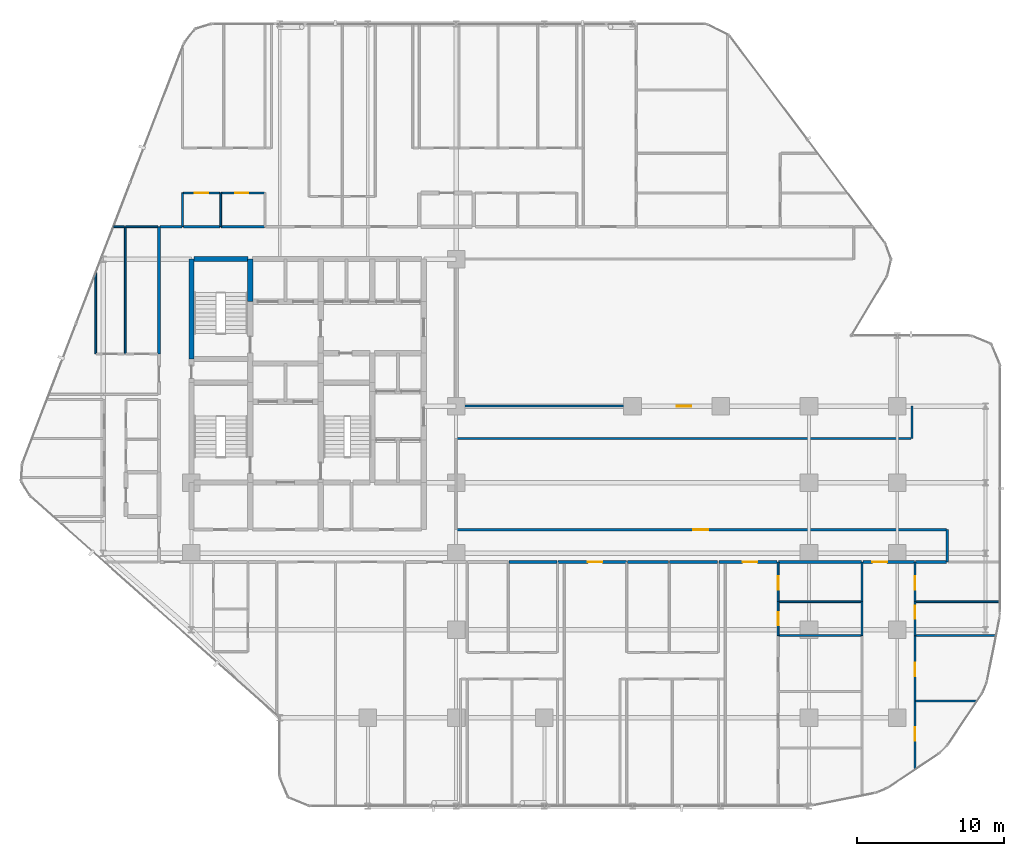
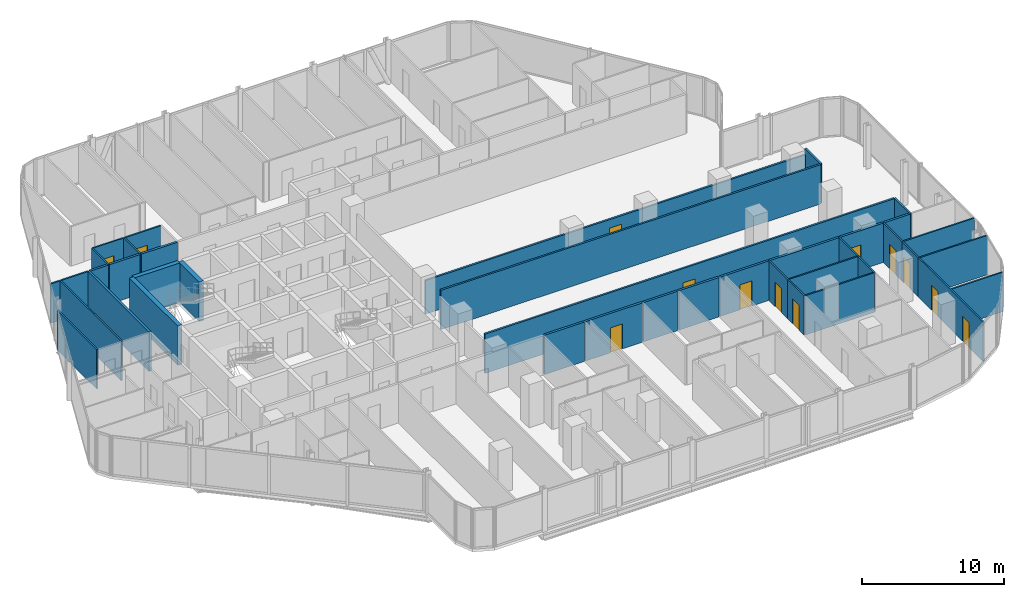
# One storey, part 29 of 34: 40 walls, 13 doors, 13 openings.
"""IFC4 building model written with IfcOpenShell, lengths in metres."""

from ifc_helpers import new_model, si_unit, direction, frame, frame_2d, origin, place, context, subcontext, project, spatial, rectangle, extrude, material, layer, layer_set, type_object, element, fill, save


model = new_model("IFC4")

# Units and contexts
model_context = context("Model", 3, precision=1e-05, world=origin(), true_north=direction((0.0, 1.0)))
body_context = subcontext(model_context, "Body", "Model", "MODEL_VIEW")
ifc_project = project(units=[si_unit("LENGTHUNIT", "METRE"), si_unit("AREAUNIT", "SQUARE_METRE"), si_unit("VOLUMEUNIT", "CUBIC_METRE"), si_unit("PLANEANGLEUNIT", "RADIAN"), si_unit("MASSUNIT", "GRAM", prefix="KILO")], contexts=[model_context])

# Site, building, storey
site_placement = place(None, origin())
site = spatial("IfcSite", under=ifc_project, at=site_placement, CompositionType="ELEMENT")
building_placement = place(site_placement, origin())
building = spatial("IfcBuilding", under=site, at=building_placement, Name="Keshet Zoharim Tower", CompositionType="ELEMENT")
storey_placement = place(building_placement, frame((0.0, 0.0, 70.10009765625)))
storey = spatial("IfcBuildingStorey", under=building, at=storey_placement, Name="L16", CompositionType="ELEMENT", Elevation=70.10009765625)

# Walls
ifc_material_1 = material(Name="Gypsum Plasterboard", Category="gypsum")
ifc_layer_1 = layer(ifc_material_1, 0.14990234375)
ifc_layer_set_1 = layer_set([ifc_layer_1], Name="Gypsum Plasterboard")
wall_type_1 = type_object("IfcWallType", Name="WL-CLIN-150", PredefinedType="STANDARD", material=ifc_layer_set_1)
wall_1_placement = place(storey_placement, frame((64.0, 25.699951171875, 0.0), z_axis=(0.0, 0.0, 1.0), x_axis=(0.0, 1.0, 0.0)))
element("IfcWall", 1, at=wall_1_placement, inside=storey, type_object=wall_type_1, Name="L16 Interior Wall 109", PredefinedType="STANDARD", context=body_context, shape_type="SweptSolid", body=[
    extrude(rectangle(XDim=2.199951171875, YDim=0.14990234375, at=frame_2d((1.10009765625, 0.0))), origin(), (0.0, 0.0, 1.0), 3.385009765625),
])
wall_2_placement = place(storey_placement, frame((66.39990234375, 17.31005859375, 0.0), z_axis=(0.0, 0.0, 1.0), x_axis=(0.0, 1.0, 0.0)))
element("IfcWall", 2, at=wall_2_placement, inside=storey, type_object=wall_type_1, Name="L16 Interior Wall 113", PredefinedType="STANDARD", context=body_context, shape_type="SweptSolid", body=[
    extrude(rectangle(XDim=2.18994140625, YDim=0.14990234375, at=frame_2d((1.094970703125, 0.0))), origin(), (0.0, 0.0, 1.0), 3.385009765625),
])

# Wall, opening, door
wall_3_placement = place(storey_placement, frame((33.070068359375, 19.5, 0.0), z_axis=(0.0, 0.0, 1.0), x_axis=(1.0, 0.0, 0.0)))
wall_3 = element("IfcWall", 3, at=wall_3_placement, inside=storey, type_object=wall_type_1, Name="L16 Interior Wall 154", PredefinedType="STANDARD", context=body_context, shape_type="SweptSolid", body=[
    extrude(rectangle(XDim=33.27001953125, YDim=0.14990234375, at=frame_2d((16.635009765625, 0.0))), origin(), (0.0, 0.0, 1.0), 3.385009765625),
])
opening_1_placement = place(wall_3_placement, frame((16.06494140625, 0.0, 0.0)))
opening_1 = element("IfcOpeningElement", 4, at=opening_1_placement, cuts=wall_3, Name="Opening D-F310", PredefinedType="OPENING", context=body_context, shape_type="SweptSolid", body=[
    extrude(rectangle(XDim=1.0, YDim=2.14990234375, at=frame_2d((0.5, 1.074951171875))), frame((0.0, 0.0849609375, 0.0), z_axis=(0.0, -1.0, 0.0), x_axis=(1.0, 0.0, 0.0)), (0.0, 0.0, 1.0), 0.169921875),
])
ifc_material_2 = material(Name="Hardwood Timber", Category="wood")
door_type_1 = type_object("IfcDoorType", Name="DR-FD30-100", OperationType="NOTDEFINED", PredefinedType="DOOR", material=ifc_material_2)
door_1_placement = place(opening_1_placement, origin())
door_1 = element("IfcDoor", 5, at=door_1_placement, inside=storey, type_object=door_type_1, Name="L16 North East Residents Services Suite Door 1", OperationType="SINGLE_SWING_RIGHT", OverallHeight=2.14990234375, OverallWidth=1.0, PredefinedType="DOOR", context=body_context, shape_type="SweptSolid", body=[
    extrude(rectangle(XDim=1.0, YDim=2.14990234375, at=frame_2d((0.5, 1.074951171875))), frame((0.0, 0.02490234375, 0.0), z_axis=(0.0, -1.0, 0.0), x_axis=(1.0, 0.0, 0.0)), (0.0, 0.0, 1.0), 0.050048828125),
])
fill(opening_1, door_1)

# Wall
wall_4_placement = place(storey_placement, frame((33.070068359375, 25.699951171875, 0.0), z_axis=(0.0, 0.0, 1.0), x_axis=(1.0, 0.0, 0.0)))
element("IfcWall", 6, at=wall_4_placement, inside=storey, type_object=wall_type_1, Name="L16 Interior Wall 168", PredefinedType="STANDARD", context=body_context, shape_type="SweptSolid", body=[
    extrude(rectangle(XDim=30.869873046875, YDim=0.14990234375, at=frame_2d((15.43505859375, 0.0))), origin(), (0.0, 0.0, 1.0), 3.385009765625),
])

# Wall, opening, door
wall_5_placement = place(storey_placement, frame((33.070068359375, 27.89990234375, 0.0), z_axis=(0.0, 0.0, 1.0), x_axis=(1.0, 0.0, 0.0)))
wall_5 = element("IfcWall", 7, at=wall_5_placement, inside=storey, type_object=wall_type_1, Name="L16 Interior Wall 169", PredefinedType="STANDARD", context=body_context, shape_type="SweptSolid", body=[
    extrude(rectangle(XDim=30.869873046875, YDim=0.14990234375, at=frame_2d((15.43505859375, 0.0))), origin(), (0.0, 0.0, 1.0), 2.885009765625),
])
opening_2_placement = place(wall_5_placement, frame((14.93505859375, 0.0, 0.0)))
opening_2 = element("IfcOpeningElement", 8, at=opening_2_placement, cuts=wall_5, Name="Opening D-F310", PredefinedType="OPENING", context=body_context, shape_type="SweptSolid", body=[
    extrude(rectangle(XDim=1.0, YDim=2.14990234375, at=frame_2d((0.5, 1.074951171875))), frame((0.0, 0.0849609375, 0.0), z_axis=(0.0, -1.0, 0.0), x_axis=(1.0, 0.0, 0.0)), (0.0, 0.0, 1.0), 0.169921875),
])
door_2_placement = place(opening_2_placement, origin())
door_2 = element("IfcDoor", 9, at=door_2_placement, inside=storey, type_object=door_type_1, Name="L16 North East Residents Services Suite Door 2", OperationType="SINGLE_SWING_RIGHT", OverallHeight=2.14990234375, OverallWidth=1.0, PredefinedType="DOOR", context=body_context, shape_type="SweptSolid", body=[
    extrude(rectangle(XDim=1.0, YDim=2.14990234375, at=frame_2d((0.5, 1.074951171875))), frame((0.0, 0.02490234375, 0.0), z_axis=(0.0, -1.0, 0.0), x_axis=(1.0, 0.0, 0.0)), (0.0, 0.0, 1.0), 0.050048828125),
])
fill(opening_2, door_2)

# Walls
ifc_material_3 = material(Name="Concrete C60/75", Category="concrete")
ifc_layer_2 = layer(ifc_material_3, 0.35009765625)
ifc_layer_set_2 = layer_set([ifc_layer_2], Name="Concrete C60/75")
wall_type_2 = type_object("IfcWallType", Name="WL-CORE-350", PredefinedType="SHEAR", material=ifc_layer_set_2)
wall_6_placement = place(storey_placement, frame((15.0, 31.10009765625, 0.0), z_axis=(0.0, 0.0, 1.0), x_axis=(0.0, 1.0, 0.0)))
element("IfcWall", 10, at=wall_6_placement, inside=storey, type_object=wall_type_2, Name="L16 Core Shear Wall 018", PredefinedType="SHEAR", context=body_context, shape_type="SweptSolid", body=[
    extrude(rectangle(XDim=6.7998046875, YDim=0.35009765625, at=frame_2d((3.39990234375, 0.0))), origin(), (0.0, 0.0, 1.0), 3.385009765625),
])
wall_7_placement = place(storey_placement, frame((19.0, 35.0, 0.0), z_axis=(0.0, 0.0, 1.0), x_axis=(0.0, 1.0, 0.0)))
element("IfcWall", 11, at=wall_7_placement, inside=storey, type_object=wall_type_2, Name="L16 Core Shear Wall 029", PredefinedType="SHEAR", context=body_context, shape_type="SweptSolid", body=[
    extrude(rectangle(XDim=2.89990234375, YDim=0.35009765625, at=frame_2d((1.449951171875, 0.0))), origin(), (0.0, 0.0, 1.0), 3.385009765625),
])
wall_8_placement = place(storey_placement, frame((15.159912109375, 37.89990234375, 0.0), z_axis=(0.0, 0.0, 1.0), x_axis=(1.0, 0.0, 0.0)))
element("IfcWall", 12, at=wall_8_placement, inside=storey, type_object=wall_type_2, Name="L16 Core Shear Wall 185", PredefinedType="SHEAR", context=body_context, shape_type="SweptSolid", body=[
    extrude(rectangle(XDim=3.68017578125, YDim=0.35009765625, at=frame_2d((1.840087890625, 0.0))), origin(), (0.0, 0.0, 1.0), 3.385009765625),
])
ifc_layer_3 = layer(ifc_material_1, 0.179931640625)
ifc_layer_set_3 = layer_set([ifc_layer_3], Name="Gypsum Plasterboard")
wall_type_3 = type_object("IfcWallType", Name="WL-CORR-180", PredefinedType="STANDARD", material=ifc_layer_set_3)
wall_9_placement = place(storey_placement, frame((12.800048828125, 31.449951171875, 0.0), z_axis=(0.0, 0.0, 1.0), x_axis=(0.0, 1.0, 0.0)))
element("IfcWall", 13, at=wall_9_placement, inside=storey, type_object=wall_type_3, Name="L16 Interior Wall 012", PredefinedType="STANDARD", context=body_context, shape_type="SweptSolid", body=[
    extrude(rectangle(XDim=8.650146484375, YDim=0.179931640625, at=frame_2d((4.3251953125, 0.0))), origin(), (0.0, 0.0, 1.0), 3.385009765625),
])
wall_10_placement = place(storey_placement, frame((36.614013671875, 17.300048828125, 0.0), z_axis=(0.0, 0.0, 1.0), x_axis=(1.0, 0.0, 0.0)))
element("IfcWall", 14, at=wall_10_placement, inside=storey, type_object=wall_type_3, Name="L16 Interior Wall 141", PredefinedType="STANDARD", context=body_context, shape_type="SweptSolid", body=[
    extrude(rectangle(XDim=3.23095703125, YDim=0.179931640625, at=frame_2d((1.615478515625, 0.0))), origin(), (0.0, 0.0, 1.0), 3.385009765625),
])

# Wall, opening, door
wall_11_placement = place(storey_placement, frame((39.93505859375, 17.300048828125, 0.0), z_axis=(0.0, 0.0, 1.0), x_axis=(1.0, 0.0, 0.0)))
wall_11 = element("IfcWall", 15, at=wall_11_placement, inside=storey, type_object=wall_type_3, Name="L16 Interior Wall 142", PredefinedType="STANDARD", context=body_context, shape_type="SweptSolid", body=[
    extrude(rectangle(XDim=4.639892578125, YDim=0.179931640625, at=frame_2d((2.31982421875, 0.0))), origin(), (0.0, 0.0, 1.0), 3.385009765625),
])
opening_3_placement = place(wall_11_placement, frame((2.02001953125, 0.0, 0.0)))
opening_3 = element("IfcOpeningElement", 16, at=opening_3_placement, cuts=wall_11, Name="Opening D-F310", PredefinedType="OPENING", context=body_context, shape_type="SweptSolid", body=[
    extrude(rectangle(XDim=1.0, YDim=2.14990234375, at=frame_2d((0.5, 1.074951171875))), frame((0.0, 0.10009765625, 0.0), z_axis=(0.0, -1.0, 0.0), x_axis=(1.0, 0.0, 0.0)), (0.0, 0.0, 1.0), 0.199951171875),
])
door_3_placement = place(opening_3_placement, origin())
door_3 = element("IfcDoor", 17, at=door_3_placement, inside=storey, type_object=door_type_1, Name="Apartment 1603 Entrance Door", OperationType="SINGLE_SWING_LEFT", OverallHeight=2.14990234375, OverallWidth=1.0, PredefinedType="DOOR", context=body_context, shape_type="SweptSolid", body=[
    extrude(rectangle(XDim=1.0, YDim=2.14990234375, at=frame_2d((0.5, 1.074951171875))), frame((0.0, 0.02490234375, 0.0), z_axis=(0.0, -1.0, 0.0), x_axis=(1.0, 0.0, 0.0)), (0.0, 0.0, 1.0), 0.050048828125),
])
fill(opening_3, door_3)

# Walls
wall_12_placement = place(storey_placement, frame((44.6650390625, 17.300048828125, 0.0), z_axis=(0.0, 0.0, 1.0), x_axis=(1.0, 0.0, 0.0)))
element("IfcWall", 18, at=wall_12_placement, inside=storey, type_object=wall_type_3, Name="L16 Interior Wall 143", PredefinedType="STANDARD", context=body_context, shape_type="SweptSolid", body=[
    extrude(rectangle(XDim=2.766845703125, YDim=0.179931640625, at=frame_2d((1.38330078125, 0.0))), origin(), (0.0, 0.0, 1.0), 3.385009765625),
])
wall_13_placement = place(storey_placement, frame((47.52197265625, 17.300048828125, 0.0), z_axis=(0.0, 0.0, 1.0), x_axis=(1.0, 0.0, 0.0)))
element("IfcWall", 19, at=wall_13_placement, inside=storey, type_object=wall_type_3, Name="L16 Interior Wall 144", PredefinedType="STANDARD", context=body_context, shape_type="SweptSolid", body=[
    extrude(rectangle(XDim=3.262939453125, YDim=0.179931640625, at=frame_2d((1.63134765625, 0.0))), origin(), (0.0, 0.0, 1.0), 3.385009765625),
])

# Wall, opening, door
wall_14_placement = place(storey_placement, frame((50.875, 17.300048828125, 0.0), z_axis=(0.0, 0.0, 1.0), x_axis=(1.0, 0.0, 0.0)))
wall_14 = element("IfcWall", 20, at=wall_14_placement, inside=storey, type_object=wall_type_3, Name="L16 Interior Wall 145", PredefinedType="STANDARD", context=body_context, shape_type="SweptSolid", body=[
    extrude(rectangle(XDim=3.9599609375, YDim=0.179931640625, at=frame_2d((1.97998046875, 0.0))), origin(), (0.0, 0.0, 1.0), 3.385009765625),
])
opening_4_placement = place(wall_14_placement, frame((1.60888671875, 0.0, 0.0)))
opening_4 = element("IfcOpeningElement", 21, at=opening_4_placement, cuts=wall_14, Name="Opening D-F310", PredefinedType="OPENING", context=body_context, shape_type="SweptSolid", body=[
    extrude(rectangle(XDim=1.0, YDim=2.14990234375, at=frame_2d((0.5, 1.074951171875))), frame((0.0, 0.10009765625, 0.0), z_axis=(0.0, -1.0, 0.0), x_axis=(1.0, 0.0, 0.0)), (0.0, 0.0, 1.0), 0.199951171875),
])
door_4_placement = place(opening_4_placement, origin())
door_4 = element("IfcDoor", 22, at=door_4_placement, inside=storey, type_object=door_type_1, Name="Apartment 1604 Entrance Door", OperationType="SINGLE_SWING_RIGHT", OverallHeight=2.14990234375, OverallWidth=1.0, PredefinedType="DOOR", context=body_context, shape_type="SweptSolid", body=[
    extrude(rectangle(XDim=1.0, YDim=2.14990234375, at=frame_2d((0.5, 1.074951171875))), frame((0.0, 0.02490234375, 0.0), z_axis=(0.0, -1.0, 0.0), x_axis=(1.0, 0.0, 0.0)), (0.0, 0.0, 1.0), 0.050048828125),
])
fill(opening_4, door_4)

# Wall
wall_15_placement = place(storey_placement, frame((54.925048828125, 17.300048828125, 0.0), z_axis=(0.0, 0.0, 1.0), x_axis=(1.0, 0.0, 0.0)))
element("IfcWall", 23, at=wall_15_placement, inside=storey, type_object=wall_type_3, Name="L16 Interior Wall 146", PredefinedType="STANDARD", context=body_context, shape_type="SweptSolid", body=[
    extrude(rectangle(XDim=5.639892578125, YDim=0.179931640625, at=frame_2d((2.81982421875, 0.0))), origin(), (0.0, 0.0, 1.0), 3.385009765625),
])

# Wall, opening, door
wall_16_placement = place(storey_placement, frame((60.655029296875, 17.300048828125, 0.0), z_axis=(0.0, 0.0, 1.0), x_axis=(1.0, 0.0, 0.0)))
wall_16 = element("IfcWall", 24, at=wall_16_placement, inside=storey, type_object=wall_type_3, Name="L16 Interior Wall 147", PredefinedType="STANDARD", context=body_context, shape_type="SweptSolid", body=[
    extrude(rectangle(XDim=3.510009765625, YDim=0.179931640625, at=frame_2d((1.7548828125, 0.0))), origin(), (0.0, 0.0, 1.0), 3.385009765625),
])
opening_5_placement = place(wall_16_placement, frame((0.659912109375, 0.0, 0.0)))
opening_5 = element("IfcOpeningElement", 25, at=opening_5_placement, cuts=wall_16, Name="Opening D-F310", PredefinedType="OPENING", context=body_context, shape_type="SweptSolid", body=[
    extrude(rectangle(XDim=1.0, YDim=2.14990234375, at=frame_2d((0.5, 1.074951171875))), frame((0.0, 0.10009765625, 0.0), z_axis=(0.0, -1.0, 0.0), x_axis=(1.0, 0.0, 0.0)), (0.0, 0.0, 1.0), 0.199951171875),
])
door_5_placement = place(opening_5_placement, origin())
door_5 = element("IfcDoor", 26, at=door_5_placement, inside=storey, type_object=door_type_1, Name="Apartment 1605 Entrance Door", OperationType="SINGLE_SWING_LEFT", OverallHeight=2.14990234375, OverallWidth=1.0, PredefinedType="DOOR", context=body_context, shape_type="SweptSolid", body=[
    extrude(rectangle(XDim=1.0, YDim=2.14990234375, at=frame_2d((0.5, 1.074951171875))), frame((0.0, 0.02490234375, 0.0), z_axis=(0.0, -1.0, 0.0), x_axis=(1.0, 0.0, 0.0)), (0.0, 0.0, 1.0), 0.050048828125),
])
fill(opening_5, door_5)

# Walls
wall_17_placement = place(storey_placement, frame((64.2548828125, 17.300048828125, 0.0), z_axis=(0.0, 0.0, 1.0), x_axis=(1.0, 0.0, 0.0)))
element("IfcWall", 27, at=wall_17_placement, inside=storey, type_object=wall_type_3, Name="L16 Interior Wall 148", PredefinedType="STANDARD", context=body_context, shape_type="SweptSolid", body=[
    extrude(rectangle(XDim=2.085205078125, YDim=0.179931640625, at=frame_2d((1.04248046875, 0.0))), origin(), (0.0, 0.0, 1.0), 3.385009765625),
])
wall_18_placement = place(storey_placement, frame((12.875, 40.10009765625, 0.0), z_axis=(0.0, 0.0, 1.0), x_axis=(1.0, 0.0, 0.0)))
element("IfcWall", 28, at=wall_18_placement, inside=storey, type_object=wall_type_3, Name="L16 Interior Wall 190", PredefinedType="STANDARD", context=body_context, shape_type="SweptSolid", body=[
    extrude(rectangle(XDim=1.47998046875, YDim=0.179931640625, at=frame_2d((0.739990234375, 0.0))), origin(), (0.0, 0.0, 1.0), 3.385009765625),
])
wall_19_placement = place(storey_placement, frame((14.445068359375, 40.10009765625, 0.0), z_axis=(0.0, 0.0, 1.0), x_axis=(1.0, 0.0, 0.0)))
element("IfcWall", 29, at=wall_19_placement, inside=storey, type_object=wall_type_3, Name="L16 Interior Wall 191", PredefinedType="STANDARD", context=body_context, shape_type="SweptSolid", body=[
    extrude(rectangle(XDim=2.48583984375, YDim=0.179931640625, at=frame_2d((1.242919921875, 0.0))), origin(), (0.0, 0.0, 1.0), 3.385009765625),
])
wall_20_placement = place(storey_placement, frame((17.02099609375, 40.10009765625, 0.0), z_axis=(0.0, 0.0, 1.0), x_axis=(1.0, 0.0, 0.0)))
element("IfcWall", 30, at=wall_20_placement, inside=storey, type_object=wall_type_3, Name="L16 Interior Wall 192", PredefinedType="STANDARD", context=body_context, shape_type="SweptSolid", body=[
    extrude(rectangle(XDim=2.93408203125, YDim=0.179931640625, at=frame_2d((1.467041015625, 0.0))), origin(), (0.0, 0.0, 1.0), 3.385009765625),
])
ifc_layer_4 = layer(ifc_material_1, 0.1201171875)
ifc_layer_set_4 = layer_set([ifc_layer_4], Name="Gypsum Plasterboard")
wall_type_4 = type_object("IfcWallType", Name="WL-PART-120", PredefinedType="PARTITIONING", material=ifc_layer_set_4)
wall_21_placement = place(storey_placement, frame((8.5, 31.449951171875, 0.0), z_axis=(0.0, 0.0, 1.0), x_axis=(0.0, 1.0, 0.0)))
element("IfcWall", 31, at=wall_21_placement, inside=storey, type_object=wall_type_4, Name="L16 Interior Wall 001", PredefinedType="PARTITIONING", context=body_context, shape_type="SweptSolid", body=[
    extrude(rectangle(XDim=5.5400390625, YDim=0.1201171875, at=frame_2d((2.77001953125, 0.0))), origin(), (0.0, 0.0, 1.0), 3.385009765625),
])
wall_22_placement = place(storey_placement, frame((14.39990234375, 40.10009765625, 0.0), z_axis=(0.0, 0.0, 1.0), x_axis=(0.0, 1.0, 0.0)))
element("IfcWall", 32, at=wall_22_placement, inside=storey, type_object=wall_type_4, Name="L16 Interior Wall 013", PredefinedType="PARTITIONING", context=body_context, shape_type="SweptSolid", body=[
    extrude(rectangle(XDim=2.2998046875, YDim=0.1201171875, at=frame_2d((1.14990234375, 0.0))), origin(), (0.0, 0.0, 1.0), 3.385009765625),
])

# Wall, opening, door
wall_23_placement = place(storey_placement, frame((54.89990234375, 12.300048828125, 0.0), z_axis=(0.0, 0.0, 1.0), x_axis=(0.0, 1.0, 0.0)))
wall_23 = element("IfcWall", 33, at=wall_23_placement, inside=storey, type_object=wall_type_4, Name="L16 Interior Wall 101", PredefinedType="PARTITIONING", context=body_context, shape_type="SweptSolid", body=[
    extrude(rectangle(XDim=2.300048828125, YDim=0.1201171875, at=frame_2d((1.14990234375, 0.0))), origin(), (0.0, 0.0, 1.0), 3.385009765625),
])
opening_6_placement = place(wall_23_placement, frame((0.699951171875, 0.0, 0.0)))
opening_6 = element("IfcOpeningElement", 34, at=opening_6_placement, cuts=wall_23, Name="Opening D-IN90", PredefinedType="OPENING", context=body_context, shape_type="SweptSolid", body=[
    extrude(rectangle(XDim=0.89990234375, YDim=2.14990234375, at=frame_2d((0.449951171875, 1.074951171875))), frame((0.0, 0.070068359375, 0.0), z_axis=(0.0, -1.0, 0.0), x_axis=(1.0, 0.0, 0.0)), (0.0, 0.0, 1.0), 0.14013671875),
])
door_type_2 = type_object("IfcDoorType", Name="DR-INT-090", OperationType="NOTDEFINED", PredefinedType="DOOR", material=ifc_material_2)
door_6_placement = place(opening_6_placement, origin())
door_6 = element("IfcDoor", 35, at=door_6_placement, inside=storey, type_object=door_type_2, Name="Apartment 1604 Kitchen Door", OperationType="SINGLE_SWING_LEFT", OverallHeight=2.14990234375, OverallWidth=0.89990234375, PredefinedType="DOOR", context=body_context, shape_type="SweptSolid", body=[
    extrude(rectangle(XDim=0.89990234375, YDim=2.14990234375, at=frame_2d((0.449951171875, 1.074951171875))), frame((0.0, 0.02490234375, 0.0), z_axis=(0.0, -1.0, 0.0), x_axis=(1.0, 0.0, 0.0)), (0.0, 0.0, 1.0), 0.050048828125),
])
fill(opening_6, door_6)

# Wall
wall_24_placement = place(storey_placement, frame((60.60009765625, 12.300048828125, 0.0), z_axis=(0.0, 0.0, 1.0), x_axis=(0.0, 1.0, 0.0)))
element("IfcWall", 36, at=wall_24_placement, inside=storey, type_object=wall_type_4, Name="L16 Interior Wall 107", PredefinedType="PARTITIONING", context=body_context, shape_type="SweptSolid", body=[
    extrude(rectangle(XDim=2.300048828125, YDim=0.1201171875, at=frame_2d((1.14990234375, 0.0))), origin(), (0.0, 0.0, 1.0), 3.385009765625),
])

# Wall, openings, doors
wall_25_placement = place(storey_placement, frame((64.199951171875, 3.18701171875, 0.0), z_axis=(0.0, 0.0, 1.0), x_axis=(0.0, 1.0, 0.0)))
wall_25 = element("IfcWall", 37, at=wall_25_placement, inside=storey, type_object=wall_type_4, Name="L16 Interior Wall 110", PredefinedType="PARTITIONING", context=body_context, shape_type="SweptSolid", body=[
    extrude(rectangle(XDim=9.113037109375, YDim=0.1201171875, at=frame_2d((4.556640625, 0.0))), origin(), (0.0, 0.0, 1.0), 3.385009765625),
])
opening_7_placement = place(wall_25_placement, frame((1.969970703125, 0.0, 0.0)))
opening_7 = element("IfcOpeningElement", 38, at=opening_7_placement, cuts=wall_25, Name="Opening D-IN90", PredefinedType="OPENING", context=body_context, shape_type="SweptSolid", body=[
    extrude(rectangle(XDim=0.89990234375, YDim=2.14990234375, at=frame_2d((0.449951171875, 1.074951171875))), frame((0.0, 0.070068359375, 0.0), z_axis=(0.0, -1.0, 0.0), x_axis=(1.0, 0.0, 0.0)), (0.0, 0.0, 1.0), 0.14013671875),
])
opening_8_placement = place(wall_25_placement, frame((6.35693359375, 0.0, 0.0)))
opening_8 = element("IfcOpeningElement", 39, at=opening_8_placement, cuts=wall_25, Name="Opening D-IN90", PredefinedType="OPENING", context=body_context, shape_type="SweptSolid", body=[
    extrude(rectangle(XDim=0.89990234375, YDim=2.14990234375, at=frame_2d((0.449951171875, 1.074951171875))), frame((0.0, 0.070068359375, 0.0), z_axis=(0.0, -1.0, 0.0), x_axis=(1.0, 0.0, 0.0)), (0.0, 0.0, 1.0), 0.14013671875),
])
door_7_placement = place(opening_7_placement, origin())
door_7 = element("IfcDoor", 40, at=door_7_placement, inside=storey, type_object=door_type_2, Name="Apartment 1605 Bedroom 1 Door", OperationType="SINGLE_SWING_LEFT", OverallHeight=2.14990234375, OverallWidth=0.89990234375, PredefinedType="DOOR", context=body_context, shape_type="SweptSolid", body=[
    extrude(rectangle(XDim=0.89990234375, YDim=2.14990234375, at=frame_2d((0.449951171875, 1.074951171875))), frame((0.0, 0.02490234375, 0.0), z_axis=(0.0, -1.0, 0.0), x_axis=(1.0, 0.0, 0.0)), (0.0, 0.0, 1.0), 0.050048828125),
])
fill(opening_7, door_7)
door_8_placement = place(opening_8_placement, origin())
door_8 = element("IfcDoor", 41, at=door_8_placement, inside=storey, type_object=door_type_2, Name="Apartment 1605 Bedroom 2 Door", OperationType="SINGLE_SWING_RIGHT", OverallHeight=2.14990234375, OverallWidth=0.89990234375, PredefinedType="DOOR", context=body_context, shape_type="SweptSolid", body=[
    extrude(rectangle(XDim=0.89990234375, YDim=2.14990234375, at=frame_2d((0.449951171875, 1.074951171875))), frame((0.0, 0.02490234375, 0.0), z_axis=(0.0, -1.0, 0.0), x_axis=(1.0, 0.0, 0.0)), (0.0, 0.0, 1.0), 0.050048828125),
])
fill(opening_8, door_8)

# Wall, opening, door
wall_26_placement = place(storey_placement, frame((64.199951171875, 12.300048828125, 0.0), z_axis=(0.0, 0.0, 1.0), x_axis=(0.0, 1.0, 0.0)))
wall_26 = element("IfcWall", 42, at=wall_26_placement, inside=storey, type_object=wall_type_4, Name="L16 Interior Wall 111", PredefinedType="PARTITIONING", context=body_context, shape_type="SweptSolid", body=[
    extrude(rectangle(XDim=2.300048828125, YDim=0.1201171875, at=frame_2d((1.14990234375, 0.0))), origin(), (0.0, 0.0, 1.0), 3.385009765625),
])
opening_9_placement = place(wall_26_placement, frame((1.14208984375, 0.0, 0.0)))
opening_9 = element("IfcOpeningElement", 43, at=opening_9_placement, cuts=wall_26, Name="Opening D-IN90", PredefinedType="OPENING", context=body_context, shape_type="SweptSolid", body=[
    extrude(rectangle(XDim=0.89990234375, YDim=2.14990234375, at=frame_2d((0.449951171875, 1.074951171875))), frame((0.0, 0.070068359375, 0.0), z_axis=(0.0, -1.0, 0.0), x_axis=(1.0, 0.0, 0.0)), (0.0, 0.0, 1.0), 0.14013671875),
])
door_9_placement = place(opening_9_placement, origin())
door_9 = element("IfcDoor", 44, at=door_9_placement, inside=storey, type_object=door_type_2, Name="Apartment 1605 Kitchen Door", OperationType="SINGLE_SWING_LEFT", OverallHeight=2.14990234375, OverallWidth=0.89990234375, PredefinedType="DOOR", context=body_context, shape_type="SweptSolid", body=[
    extrude(rectangle(XDim=0.89990234375, YDim=2.14990234375, at=frame_2d((0.449951171875, 1.074951171875))), frame((0.0, 0.02490234375, 0.0), z_axis=(0.0, -1.0, 0.0), x_axis=(1.0, 0.0, 0.0)), (0.0, 0.0, 1.0), 0.050048828125),
])
fill(opening_9, door_9)

# Walls
wall_27_placement = place(storey_placement, frame((64.2548828125, 7.85009765625, 0.0), z_axis=(0.0, 0.0, 1.0), x_axis=(1.0, 0.0, 0.0)))
element("IfcWall", 45, at=wall_27_placement, inside=storey, type_object=wall_type_4, Name="L16 Interior Wall 115", PredefinedType="PARTITIONING", context=body_context, shape_type="SweptSolid", body=[
    extrude(rectangle(XDim=4.1611328125, YDim=0.1201171875, at=frame_2d((2.08056640625, 0.0))), origin(), (0.0, 0.0, 1.0), 3.385009765625),
])
wall_28_placement = place(storey_placement, frame((54.925048828125, 12.300048828125, 0.0), z_axis=(0.0, 0.0, 1.0), x_axis=(1.0, 0.0, 0.0)))
element("IfcWall", 46, at=wall_28_placement, inside=storey, type_object=wall_type_4, Name="L16 Interior Wall 128", PredefinedType="PARTITIONING", context=body_context, shape_type="SweptSolid", body=[
    extrude(rectangle(XDim=5.639892578125, YDim=0.1201171875, at=frame_2d((2.81982421875, 0.0))), origin(), (0.0, 0.0, 1.0), 3.385009765625),
])
wall_29_placement = place(storey_placement, frame((64.2548828125, 12.300048828125, 0.0), z_axis=(0.0, 0.0, 1.0), x_axis=(1.0, 0.0, 0.0)))
element("IfcWall", 47, at=wall_29_placement, inside=storey, type_object=wall_type_4, Name="L16 Interior Wall 129", PredefinedType="PARTITIONING", context=body_context, shape_type="SweptSolid", body=[
    extrude(rectangle(XDim=5.45703125, YDim=0.1201171875, at=frame_2d((2.728515625, 0.0))), origin(), (0.0, 0.0, 1.0), 3.385009765625),
])
wall_30_placement = place(storey_placement, frame((9.701904296875, 40.10009765625, 0.0), z_axis=(0.0, 0.0, 1.0), x_axis=(1.0, 0.0, 0.0)))
element("IfcWall", 48, at=wall_30_placement, inside=storey, type_object=wall_type_4, Name="L16 Interior Wall 188", PredefinedType="PARTITIONING", context=body_context, shape_type="SweptSolid", body=[
    extrude(rectangle(XDim=0.731201171875, YDim=0.1201171875, at=frame_2d((0.36572265625, 0.0))), origin(), (0.0, 0.0, 1.0), 3.385009765625),
])

# Wall, opening, door
wall_31_placement = place(storey_placement, frame((14.445068359375, 42.39990234375, 0.0), z_axis=(0.0, 0.0, 1.0), x_axis=(1.0, 0.0, 0.0)))
wall_31 = element("IfcWall", 49, at=wall_31_placement, inside=storey, type_object=wall_type_4, Name="L16 Interior Wall 204", PredefinedType="PARTITIONING", context=body_context, shape_type="SweptSolid", body=[
    extrude(rectangle(XDim=2.48583984375, YDim=0.1201171875, at=frame_2d((1.242919921875, 0.0))), origin(), (0.0, 0.0, 1.0), 3.385009765625),
])
opening_10_placement = place(wall_31_placement, frame((0.79296875, 0.0, 0.0)))
opening_10 = element("IfcOpeningElement", 50, at=opening_10_placement, cuts=wall_31, Name="Opening D-IN90", PredefinedType="OPENING", context=body_context, shape_type="SweptSolid", body=[
    extrude(rectangle(XDim=0.89990234375, YDim=2.14990234375, at=frame_2d((0.449951171875, 1.074951171875))), frame((0.0, 0.070068359375, 0.0), z_axis=(0.0, -1.0, 0.0), x_axis=(1.0, 0.0, 0.0)), (0.0, 0.0, 1.0), 0.14013671875),
])
door_10_placement = place(opening_10_placement, origin())
door_10 = element("IfcDoor", 51, at=door_10_placement, inside=storey, type_object=door_type_2, Name="Apartment 1606 Kitchen Door", OperationType="SINGLE_SWING_RIGHT", OverallHeight=2.14990234375, OverallWidth=0.89990234375, PredefinedType="DOOR", context=body_context, shape_type="SweptSolid", body=[
    extrude(rectangle(XDim=0.89990234375, YDim=2.14990234375, at=frame_2d((0.449951171875, 1.074951171875))), frame((0.0, 0.02490234375, 0.0), z_axis=(0.0, -1.0, 0.0), x_axis=(1.0, 0.0, 0.0)), (0.0, 0.0, 1.0), 0.050048828125),
])
fill(opening_10, door_10)

# Walls
ifc_layer_5 = layer(ifc_material_1, 0.1201171875)
ifc_layer_set_5 = layer_set([ifc_layer_5], Name="Gypsum Plasterboard")
wall_type_5 = type_object("IfcWallType", Name="WL-WET-120", PredefinedType="PARTITIONING", material=ifc_layer_set_5)
wall_32_placement = place(storey_placement, frame((10.5, 31.449951171875, 0.0), z_axis=(0.0, 0.0, 1.0), x_axis=(0.0, 1.0, 0.0)))
element("IfcWall", 52, at=wall_32_placement, inside=storey, type_object=wall_type_5, Name="L16 Interior Wall 003", PredefinedType="PARTITIONING", context=body_context, shape_type="SweptSolid", body=[
    extrude(rectangle(XDim=8.650146484375, YDim=0.1201171875, at=frame_2d((4.3251953125, 0.0))), origin(), (0.0, 0.0, 1.0), 3.385009765625),
])
wall_33_placement = place(storey_placement, frame((17.0, 40.10009765625, 0.0), z_axis=(0.0, 0.0, 1.0), x_axis=(0.0, 1.0, 0.0)))
element("IfcWall", 53, at=wall_33_placement, inside=storey, type_object=wall_type_5, Name="L16 Interior Wall 021", PredefinedType="PARTITIONING", context=body_context, shape_type="SweptSolid", body=[
    extrude(rectangle(XDim=2.2998046875, YDim=0.1201171875, at=frame_2d((1.14990234375, 0.0))), origin(), (0.0, 0.0, 1.0), 3.385009765625),
])

# Wall, opening, door
wall_34_placement = place(storey_placement, frame((54.89990234375, 14.60009765625, 0.0), z_axis=(0.0, 0.0, 1.0), x_axis=(0.0, 1.0, 0.0)))
wall_34 = element("IfcWall", 54, at=wall_34_placement, inside=storey, type_object=wall_type_5, Name="L16 Interior Wall 102", PredefinedType="PARTITIONING", context=body_context, shape_type="SweptSolid", body=[
    extrude(rectangle(XDim=2.699951171875, YDim=0.1201171875, at=frame_2d((1.35009765625, 0.0))), origin(), (0.0, 0.0, 1.0), 3.385009765625),
])
opening_11_placement = place(wall_34_placement, frame((0.827880859375, 0.0, 0.0)))
opening_11 = element("IfcOpeningElement", 55, at=opening_11_placement, cuts=wall_34, Name="Opening D-WT90", PredefinedType="OPENING", context=body_context, shape_type="SweptSolid", body=[
    extrude(rectangle(XDim=0.89990234375, YDim=2.10009765625, at=frame_2d((0.449951171875, 1.050048828125))), frame((0.0, 0.070068359375, 0.0), z_axis=(0.0, -1.0, 0.0), x_axis=(1.0, 0.0, 0.0)), (0.0, 0.0, 1.0), 0.14013671875),
])
door_type_3 = type_object("IfcDoorType", Name="DR-WET-090", OperationType="NOTDEFINED", PredefinedType="DOOR", material=ifc_material_2)
door_11_placement = place(opening_11_placement, origin())
door_11 = element("IfcDoor", 56, at=door_11_placement, inside=storey, type_object=door_type_3, Name="Apartment 1604 Bathroom Door", OperationType="SINGLE_SWING_RIGHT", OverallHeight=2.10009765625, OverallWidth=0.89990234375, PredefinedType="DOOR", context=body_context, shape_type="SweptSolid", body=[
    extrude(rectangle(XDim=0.89990234375, YDim=2.10009765625, at=frame_2d((0.449951171875, 1.050048828125))), frame((0.0, 0.02490234375, 0.0), z_axis=(0.0, -1.0, 0.0), x_axis=(1.0, 0.0, 0.0)), (0.0, 0.0, 1.0), 0.050048828125),
])
fill(opening_11, door_11)

# Wall
wall_35_placement = place(storey_placement, frame((60.60009765625, 14.60009765625, 0.0), z_axis=(0.0, 0.0, 1.0), x_axis=(0.0, 1.0, 0.0)))
element("IfcWall", 57, at=wall_35_placement, inside=storey, type_object=wall_type_5, Name="L16 Interior Wall 108", PredefinedType="PARTITIONING", context=body_context, shape_type="SweptSolid", body=[
    extrude(rectangle(XDim=2.699951171875, YDim=0.1201171875, at=frame_2d((1.35009765625, 0.0))), origin(), (0.0, 0.0, 1.0), 3.385009765625),
])

# Wall, opening, door
wall_36_placement = place(storey_placement, frame((64.199951171875, 14.60009765625, 0.0), z_axis=(0.0, 0.0, 1.0), x_axis=(0.0, 1.0, 0.0)))
wall_36 = element("IfcWall", 58, at=wall_36_placement, inside=storey, type_object=wall_type_5, Name="L16 Interior Wall 112", PredefinedType="PARTITIONING", context=body_context, shape_type="SweptSolid", body=[
    extrude(rectangle(XDim=2.699951171875, YDim=0.1201171875, at=frame_2d((1.35009765625, 0.0))), origin(), (0.0, 0.0, 1.0), 3.385009765625),
])
opening_12_placement = place(wall_36_placement, frame((0.827880859375, 0.0, 0.0)))
opening_12 = element("IfcOpeningElement", 59, at=opening_12_placement, cuts=wall_36, Name="Opening D-WT90", PredefinedType="OPENING", context=body_context, shape_type="SweptSolid", body=[
    extrude(rectangle(XDim=0.89990234375, YDim=2.10009765625, at=frame_2d((0.449951171875, 1.050048828125))), frame((0.0, 0.070068359375, 0.0), z_axis=(0.0, -1.0, 0.0), x_axis=(1.0, 0.0, 0.0)), (0.0, 0.0, 1.0), 0.14013671875),
])
door_12_placement = place(opening_12_placement, origin())
door_12 = element("IfcDoor", 60, at=door_12_placement, inside=storey, type_object=door_type_3, Name="Apartment 1605 Bathroom Door", OperationType="SINGLE_SWING_RIGHT", OverallHeight=2.10009765625, OverallWidth=0.89990234375, PredefinedType="DOOR", context=body_context, shape_type="SweptSolid", body=[
    extrude(rectangle(XDim=0.89990234375, YDim=2.10009765625, at=frame_2d((0.449951171875, 1.050048828125))), frame((0.0, 0.02490234375, 0.0), z_axis=(0.0, -1.0, 0.0), x_axis=(1.0, 0.0, 0.0)), (0.0, 0.0, 1.0), 0.050048828125),
])
fill(opening_12, door_12)

# Walls
wall_37_placement = place(storey_placement, frame((54.925048828125, 14.60009765625, 0.0), z_axis=(0.0, 0.0, 1.0), x_axis=(1.0, 0.0, 0.0)))
element("IfcWall", 61, at=wall_37_placement, inside=storey, type_object=wall_type_5, Name="L16 Interior Wall 131", PredefinedType="PARTITIONING", context=body_context, shape_type="SweptSolid", body=[
    extrude(rectangle(XDim=5.639892578125, YDim=0.1201171875, at=frame_2d((2.81982421875, 0.0))), origin(), (0.0, 0.0, 1.0), 3.385009765625),
])
wall_38_placement = place(storey_placement, frame((64.2548828125, 14.60009765625, 0.0), z_axis=(0.0, 0.0, 1.0), x_axis=(1.0, 0.0, 0.0)))
element("IfcWall", 62, at=wall_38_placement, inside=storey, type_object=wall_type_5, Name="L16 Interior Wall 132", PredefinedType="PARTITIONING", context=body_context, shape_type="SweptSolid", body=[
    extrude(rectangle(XDim=5.735107421875, YDim=0.1201171875, at=frame_2d((2.86767578125, 0.0))), origin(), (0.0, 0.0, 1.0), 3.385009765625),
])
wall_39_placement = place(storey_placement, frame((10.52294921875, 40.10009765625, 0.0), z_axis=(0.0, 0.0, 1.0), x_axis=(1.0, 0.0, 0.0)))
element("IfcWall", 63, at=wall_39_placement, inside=storey, type_object=wall_type_5, Name="L16 Interior Wall 189", PredefinedType="PARTITIONING", context=body_context, shape_type="SweptSolid", body=[
    extrude(rectangle(XDim=2.2021484375, YDim=0.1201171875, at=frame_2d((1.10107421875, 0.0))), origin(), (0.0, 0.0, 1.0), 3.385009765625),
])

# Wall, opening, door
wall_40_placement = place(storey_placement, frame((17.02099609375, 42.39990234375, 0.0), z_axis=(0.0, 0.0, 1.0), x_axis=(1.0, 0.0, 0.0)))
wall_40 = element("IfcWall", 64, at=wall_40_placement, inside=storey, type_object=wall_type_5, Name="L16 Interior Wall 205", PredefinedType="PARTITIONING", context=body_context, shape_type="SweptSolid", body=[
    extrude(rectangle(XDim=2.93408203125, YDim=0.1201171875, at=frame_2d((1.467041015625, 0.0))), origin(), (0.0, 0.0, 1.0), 3.385009765625),
])
opening_13_placement = place(wall_40_placement, frame((0.944091796875, 0.0, 0.0)))
opening_13 = element("IfcOpeningElement", 65, at=opening_13_placement, cuts=wall_40, Name="Opening D-WT90", PredefinedType="OPENING", context=body_context, shape_type="SweptSolid", body=[
    extrude(rectangle(XDim=0.89990234375, YDim=2.10009765625, at=frame_2d((0.449951171875, 1.050048828125))), frame((0.0, 0.070068359375, 0.0), z_axis=(0.0, -1.0, 0.0), x_axis=(1.0, 0.0, 0.0)), (0.0, 0.0, 1.0), 0.14013671875),
])
door_13_placement = place(opening_13_placement, origin())
door_13 = element("IfcDoor", 66, at=door_13_placement, inside=storey, type_object=door_type_3, Name="Apartment 1606 Bathroom Door", OperationType="SINGLE_SWING_LEFT", OverallHeight=2.10009765625, OverallWidth=0.89990234375, PredefinedType="DOOR", context=body_context, shape_type="SweptSolid", body=[
    extrude(rectangle(XDim=0.89990234375, YDim=2.10009765625, at=frame_2d((0.449951171875, 1.050048828125))), frame((0.0, 0.02490234375, 0.0), z_axis=(0.0, -1.0, 0.0), x_axis=(1.0, 0.0, 0.0)), (0.0, 0.0, 1.0), 0.050048828125),
])
fill(opening_13, door_13)

save(model, "model.ifc")
